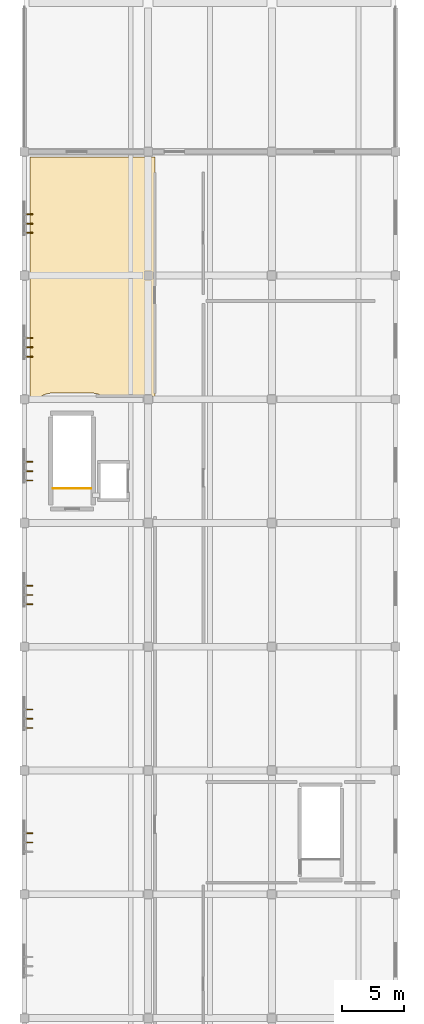
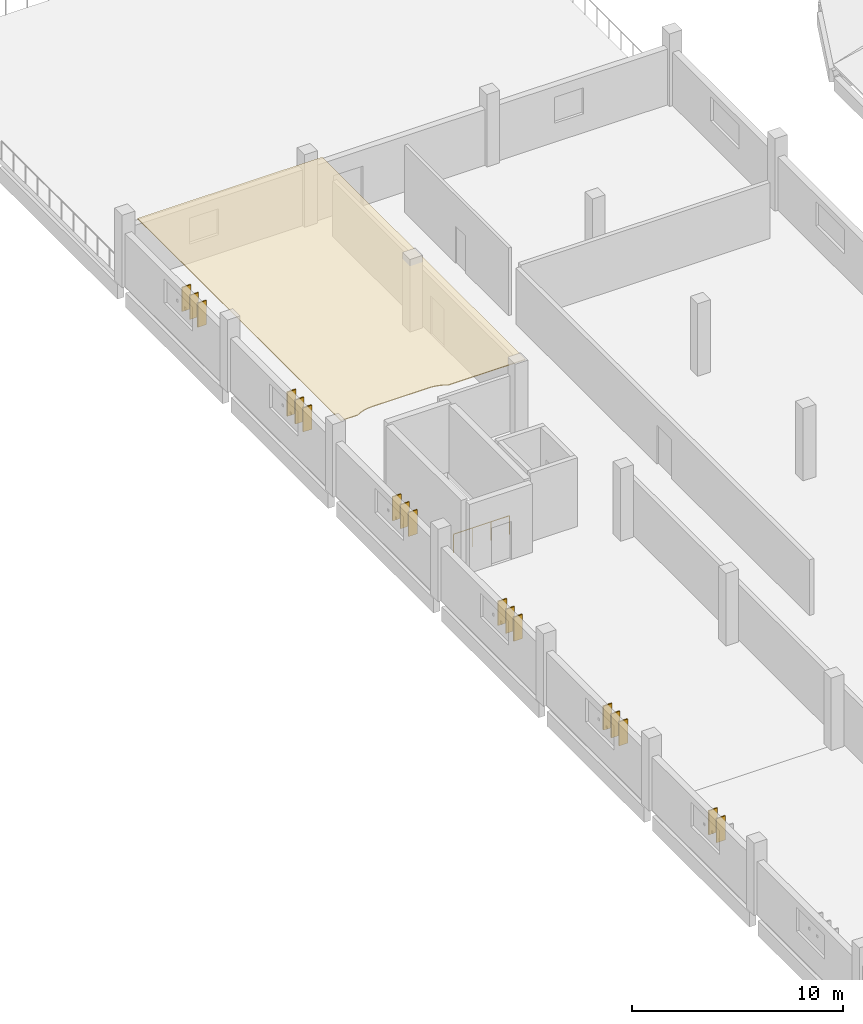
# One storey, part 127 of 142: 17 shading devices, 1 covering, 1 railing.
"""IFC4 building model written with IfcOpenShell, lengths in metres."""

from ifc_helpers import new_model, si_unit, direction, frame, origin, origin_2d, place, context, subcontext, project, spatial, polyline, rectangle, circle, outline, extrude, material, layer, layer_set, type_object, element, save


model = new_model("IFC4")

# Units and contexts
model_context = context("Model", 3, precision=1e-05, world=origin(), true_north=direction((0.0, 1.0)))
body_context = subcontext(model_context, "Body", "Model", "MODEL_VIEW")
ifc_project = project(units=[si_unit("LENGTHUNIT", "METRE"), si_unit("AREAUNIT", "SQUARE_METRE"), si_unit("VOLUMEUNIT", "CUBIC_METRE"), si_unit("PLANEANGLEUNIT", "RADIAN"), si_unit("MASSUNIT", "GRAM", prefix="KILO")], contexts=[model_context])

# Site, building, storey
site_placement = place(None, origin())
site = spatial("IfcSite", under=ifc_project, at=site_placement, CompositionType="ELEMENT")
building_placement = place(site_placement, origin())
building = spatial("IfcBuilding", under=site, at=building_placement, Name="Corvandel Quay Wholesale Market", CompositionType="ELEMENT")
storey_placement = place(building_placement, frame((0.0, 0.0, 10.800048828125)))
storey = spatial("IfcBuildingStorey", under=building, at=storey_placement, Name="L02", CompositionType="ELEMENT", Elevation=10.800048828125)

# Covering
ifc_material_1 = material(Name="Perforated powder-coated aluminium acoustic panel", Category="aluminium")
ifc_layer_1 = layer(ifc_material_1, 0.044921875)
ifc_layer_set_1 = layer_set([ifc_layer_1], Name="Perforated powder-coated aluminium acoustic panel")
covering_type = type_object("IfcCoveringType", Name="Perforated Acoustic Baffle Ceiling CLG01", PredefinedType="CEILING", material=ifc_layer_set_1)
covering_placement = place(storey_placement, frame((0.0, 0.0, 3.77001953125)))
element("IfcCovering", 1, at=covering_placement, inside=storey, type_object=covering_type, Name="Suspended Ceiling CLG-024", PredefinedType="CEILING", context=body_context, shape_type="SweptSolid", body=[
    extrude(outline(polyline([(20.4580078125, 100.239990234375), (20.4560546875, 100.239990234375), (20.4541015625, 100.240966796875), (20.451904296875, 100.241943359375), (20.450927734375, 100.241943359375), (20.448974609375, 100.242919921875), (20.447021484375, 100.2451171875), (20.446044921875, 100.24609375), (20.445068359375, 100.2470703125), (20.443115234375, 100.2490234375), (20.44189453125, 100.2509765625), (20.44189453125, 100.251953125), (20.44091796875, 100.25390625), (20.43994140625, 100.256103515625), (20.43994140625, 100.258056640625), (20.43994140625, 100.260009765625), (20.43994140625, 119.5400390625), (20.43994140625, 119.5419921875), (20.43994140625, 119.5439453125), (20.44091796875, 119.5458984375), (20.44189453125, 119.548095703125), (20.44189453125, 119.549072265625), (20.443115234375, 119.551025390625), (20.445068359375, 119.552978515625), (20.446044921875, 119.553955078125), (20.447021484375, 119.554931640625), (20.448974609375, 119.556884765625), (20.450927734375, 119.55810546875), (20.451904296875, 119.55810546875), (20.4541015625, 119.55908203125), (20.4560546875, 119.56005859375), (20.4580078125, 119.56005859375), (20.4599609375, 119.56005859375), (30.5400390625, 119.56005859375), (30.5419921875, 119.56005859375), (30.5439453125, 119.56005859375), (30.5458984375, 119.55908203125), (30.548095703125, 119.55810546875), (30.549072265625, 119.55810546875), (30.551025390625, 119.556884765625), (30.552978515625, 119.554931640625), (30.553955078125, 119.553955078125), (30.554931640625, 119.552978515625), (30.556884765625, 119.551025390625), (30.55810546875, 119.549072265625), (30.55810546875, 119.548095703125), (30.55908203125, 119.5458984375), (30.56005859375, 119.5439453125), (30.56005859375, 119.5419921875), (30.56005859375, 119.5400390625), (30.56005859375, 100.260009765625), (30.56005859375, 100.258056640625), (30.56005859375, 100.256103515625), (30.55908203125, 100.25390625), (30.55810546875, 100.251953125), (30.55810546875, 100.2509765625), (30.556884765625, 100.2490234375), (30.554931640625, 100.2470703125), (30.553955078125, 100.24609375), (30.552978515625, 100.2451171875), (30.551025390625, 100.242919921875), (30.549072265625, 100.241943359375), (30.548095703125, 100.241943359375), (30.5458984375, 100.240966796875), (30.5439453125, 100.239990234375), (30.5419921875, 100.239990234375), (30.5400390625, 100.239990234375), (26.327880859375, 100.239990234375), (26.2490234375, 100.287109375), (26.089111328125, 100.363037109375), (25.923095703125, 100.422119140625), (25.7509765625, 100.465087890625), (25.575927734375, 100.490966796875), (25.39990234375, 100.5), (22.300048828125, 100.5), (22.1240234375, 100.490966796875), (21.948974609375, 100.465087890625), (21.777099609375, 100.422119140625), (21.611083984375, 100.363037109375), (21.450927734375, 100.287109375), (21.3720703125, 100.239990234375), (20.4599609375, 100.239990234375), (20.4580078125, 100.239990234375)])), origin(), (0.0, 0.0, 1.0), 0.044921875),
])

# Railing
ifc_material_2 = material(Name="Painted galvanised tubular steel", Category="steel")
ifc_layer_2 = layer(ifc_material_2, 0.054931640625)
ifc_layer_set_2 = layer_set([ifc_layer_2], Name="Painted galvanised tubular steel")
railing_type = type_object("IfcRailingType", Name="Stairwell Inner Guard Railing GR02 1100mm", PredefinedType="GUARDRAIL", material=ifc_layer_set_2)
railing_placement = place(storey_placement, frame((22.320068359375, 92.800048828125, 0.0)))
element("IfcRailing", 2, at=railing_placement, inside=storey, type_object=railing_type, Name="Stair Top Well Guard SH12-L02", PredefinedType="GUARDRAIL", context=body_context, shape_type="SweptSolid", body=[
    extrude(circle(Radius=0.02392578125, at=origin_2d()), frame((0.0, 0.0, 1.076171875), z_axis=(1.0, 0.0, 0.0), x_axis=(0.0, 1.0, 0.0)), (0.0, 0.0, 1.0), 3.059814453125),
    extrude(circle(Radius=0.02099609375, at=origin_2d()), origin(), (0.0, 0.0, 1.0), 1.052001953125),
    extrude(circle(Radius=0.02099609375, at=origin_2d()), frame((1.02001953125, 0.0, 0.0)), (0.0, 0.0, 1.0), 1.052001953125),
    extrude(circle(Radius=0.02099609375, at=origin_2d()), frame((2.039794921875, 0.0, 0.0)), (0.0, 0.0, 1.0), 1.052001953125),
    extrude(circle(Radius=0.02099609375, at=origin_2d()), frame((3.059814453125, 0.0, 0.0)), (0.0, 0.0, 1.0), 1.052001953125),
])

# Shading devices
ifc_material_3 = material(Name="Bronze anodised extruded aluminium 6063-T6", Category="aluminium")
shading_device_type = type_object("IfcShadingDeviceType", Name="Vertical Anodised Bronze Solar Fin FN01 480mm", PredefinedType="JALOUSIE", material=ifc_material_3)
for number, where, z_axis, x_axis, name in (
    (3, (20.43994140625, 64.18994140625, 1.300048828125), (0.0, 0.0, 1.0), (1.0, 0.0, 0.0), "Solar Fin 0549"),
    (4, (20.43994140625, 64.93994140625, 1.300048828125), (0.0, 0.0, 1.0), (1.0, 0.0, 0.0), "Solar Fin 0550"),
    (5, (20.43994140625, 73.43994140625, 1.300048828125), (0.0, 0.0, 1.0), (1.0, 0.0, 0.0), "Solar Fin 0553"),
    (6, (20.43994140625, 74.18994140625, 1.300048828125), (0.0, 0.0, 1.0), (1.0, 0.0, 0.0), "Solar Fin 0554"),
    (7, (20.43994140625, 74.93994140625, 1.300048828125), (0.0, 0.0, 1.0), (1.0, 0.0, 0.0), "Solar Fin 0555"),
    (8, (20.43994140625, 83.43994140625, 1.300048828125), (0.0, 0.0, 1.0), (1.0, 0.0, 0.0), "Solar Fin 0558"),
    (9, (20.43994140625, 84.18994140625, 1.300048828125), (0.0, 0.0, 1.0), (1.0, 0.0, 0.0), "Solar Fin 0559"),
    (10, (20.43994140625, 84.93994140625, 1.300048828125), (0.0, 0.0, 1.0), (1.0, 0.0, 0.0), "Solar Fin 0560"),
    (11, (20.43994140625, 93.43994140625, 1.300048828125), (0.0, 0.0, 1.0), (1.0, 0.0, 0.0), "Solar Fin 0563"),
    (12, (20.43994140625, 94.18994140625, 1.300048828125), (0.0, 0.0, 1.0), (1.0, 0.0, 0.0), "Solar Fin 0564"),
    (13, (20.43994140625, 94.93994140625, 1.300048828125), (0.0, 0.0, 1.0), (1.0, 0.0, 0.0), "Solar Fin 0565"),
    (14, (20.43994140625, 103.43994140625, 1.300048828125), (0.0, 0.0, 1.0), (1.0, 0.0, 0.0), "Solar Fin 0568"),
    (15, (20.43994140625, 104.18994140625, 1.300048828125), (0.0, 0.0, 1.0), (1.0, 0.0, 0.0), "Solar Fin 0569"),
    (16, (20.43994140625, 104.93994140625, 1.300048828125), (0.0, 0.0, 1.0), (1.0, 0.0, 0.0), "Solar Fin 0570"),
    (17, (20.43994140625, 113.43994140625, 1.300048828125), (0.0, 0.0, 1.0), (1.0, 0.0, 0.0), "Solar Fin 0573"),
    (18, (20.43994140625, 114.18994140625, 1.300048828125), (0.0, 0.0, 1.0), (1.0, 0.0, 0.0), "Solar Fin 0574"),
    (19, (20.43994140625, 114.93994140625, 1.300048828125), (0.0, 0.0, 1.0), (1.0, 0.0, 0.0), "Solar Fin 0575"),
):
    element("IfcShadingDevice", number, at=place(storey_placement, frame(where, z_axis=z_axis, x_axis=x_axis)), inside=storey, type_object=shading_device_type, Name=name, PredefinedType="JALOUSIE", context=body_context, shape_type="SweptSolid", body=[
        extrude(rectangle(XDim=0.47998046875, YDim=0.06494140625, at=origin_2d()), origin(), (0.0, 0.0, 1.0), 1.39990234375),
    ])

save(model, "model.ifc")
